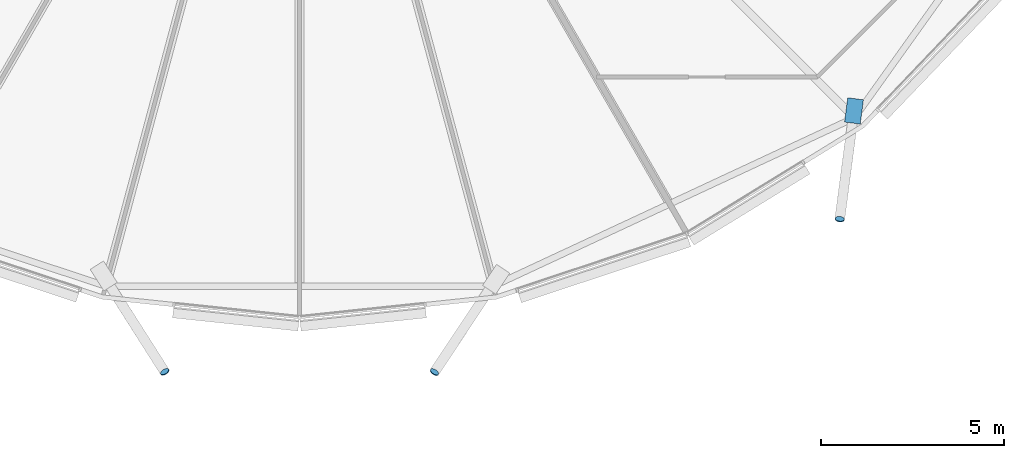
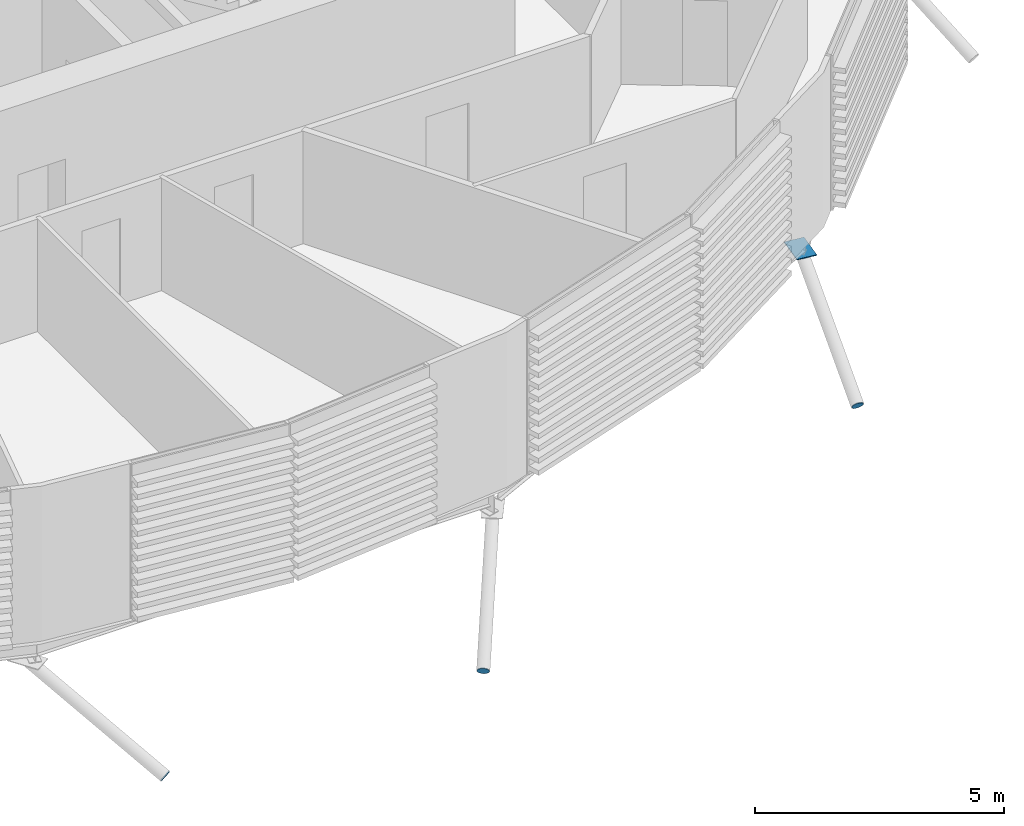
# One storey, part 27 of 38: 4 discrete accessories.
"""IFC4 building model written with IfcOpenShell, lengths in metres."""

from ifc_helpers import new_model, si_unit, direction, frame, origin, origin_2d, place, context, subcontext, project, spatial, polyline, rectangle, circle, outline, extrude, material, material_profile, profile_set, type_object, element, save


model = new_model("IFC4")

# Units and contexts
model_context = context("Model", 3, precision=1e-05, world=origin(), true_north=direction((0.0, 1.0)))
body_context = subcontext(model_context, "Body", "Model", "MODEL_VIEW")
ifc_project = project(units=[si_unit("LENGTHUNIT", "METRE"), si_unit("AREAUNIT", "SQUARE_METRE"), si_unit("VOLUMEUNIT", "CUBIC_METRE"), si_unit("PLANEANGLEUNIT", "RADIAN"), si_unit("MASSUNIT", "GRAM", prefix="KILO")], contexts=[model_context])

# Site, building, storey
site_placement = place(None, origin())
site = spatial("IfcSite", under=ifc_project, at=site_placement, CompositionType="ELEMENT")
building_placement = place(site_placement, origin())
building = spatial("IfcBuilding", under=site, at=building_placement, Name="Rimbun Link Towers", CompositionType="ELEMENT")
storey_placement = place(building_placement, frame((0.0, 0.0, 123.39990234375)))
storey = spatial("IfcBuildingStorey", under=building, at=storey_placement, Name="L30", CompositionType="ELEMENT", Elevation=123.39990234375)

# Discrete accessories
ifc_material_1 = material(Name="Steel S355J2H", Category="steel")
ifc_material_profile_1 = material_profile(ifc_material_1, circle(Radius=0.1240234375, at=origin_2d()), Name="PL D248")
ifc_profile_set_1 = profile_set([ifc_material_profile_1], Name="Steel S355J2H")
discrete_accessory_type_1 = type_object("IfcDiscreteAccessoryType", Name="Link foot sealing plate D248X20", PredefinedType="BRACKET", material=ifc_profile_set_1)
discrete_accessory_1_placement = place(storey_placement, frame((-35.43994140625, -22.131103515625, -2.69091796875), z_axis=(0.454956242891, -0.725470765691, -0.516436816254), x_axis=(0.847190627169, 0.531289037377, 0.0)))
element("IfcDiscreteAccessory", 1, at=discrete_accessory_1_placement, inside=storey, type_object=discrete_accessory_type_1, Name="Link foot sealing plate T1 L30 17", PredefinedType="BRACKET", context=body_context, shape_type="SweptSolid", body=[
    extrude(circle(Radius=0.1240234375, at=origin_2d()), origin(), (0.0, 0.0, 1.0), 0.019775390625),
])
for number, where, z_axis, x_axis, name in (
    (2, (-28.0546875, -22.136474609375, -2.68798828125), (-0.474131282403, -0.717275529789, -0.510602919511), (0.834219174646, -0.551433013749, 0.0), "Link foot sealing plate T1 L30 19"),
    (3, (-16.97021484375, -17.9521484375, -2.6015625), (-0.10931801249, -0.838104762425, -0.534443616619), (0.991600411186, -0.129339184068, 0.0), "Link foot sealing plate T1 L30 21"),
):
    element("IfcDiscreteAccessory", number, at=place(storey_placement, frame(where, z_axis=z_axis, x_axis=x_axis)), inside=storey, type_object=discrete_accessory_type_1, Name=name, PredefinedType="BRACKET", context=body_context, shape_type="SweptSolid", body=[
        extrude(circle(Radius=0.1240234375, at=origin_2d()), origin(), (0.0, 0.0, 1.0), 0.02001953125),
    ])
ifc_material_2 = material(Name="Steel S355J2H", Category="steel")
ifc_material_profile_2 = material_profile(ifc_material_2, rectangle(XDim=0.43310546875, YDim=0.43310546875, at=origin_2d()), Name="PL 433x433")
ifc_profile_set_2 = profile_set([ifc_material_profile_2], Name="Steel S355J2H")
discrete_accessory_type_2 = type_object("IfcDiscreteAccessoryType", Name="Link head end plate 433X20", PredefinedType="BRACKET", material=ifc_profile_set_2)
discrete_accessory_2_placement = place(storey_placement, frame((0.0, 0.0, -0.712890625)))
element("IfcDiscreteAccessory", 4, at=discrete_accessory_2_placement, inside=storey, type_object=discrete_accessory_type_2, Name="Link head end plate T1 L30 21", PredefinedType="BRACKET", context=body_context, shape_type="SweptSolid", body=[
    extrude(outline(polyline([(-16.7529296875, -14.63916015625), (-16.840087890625, -15.30322265625), (-16.410888671875, -15.359619140625), (-16.323486328125, -14.695556640625), (-16.7529296875, -14.63916015625)])), origin(), (0.0, 0.0, 1.0), 0.019775390625),
])

save(model, "model.ifc")
